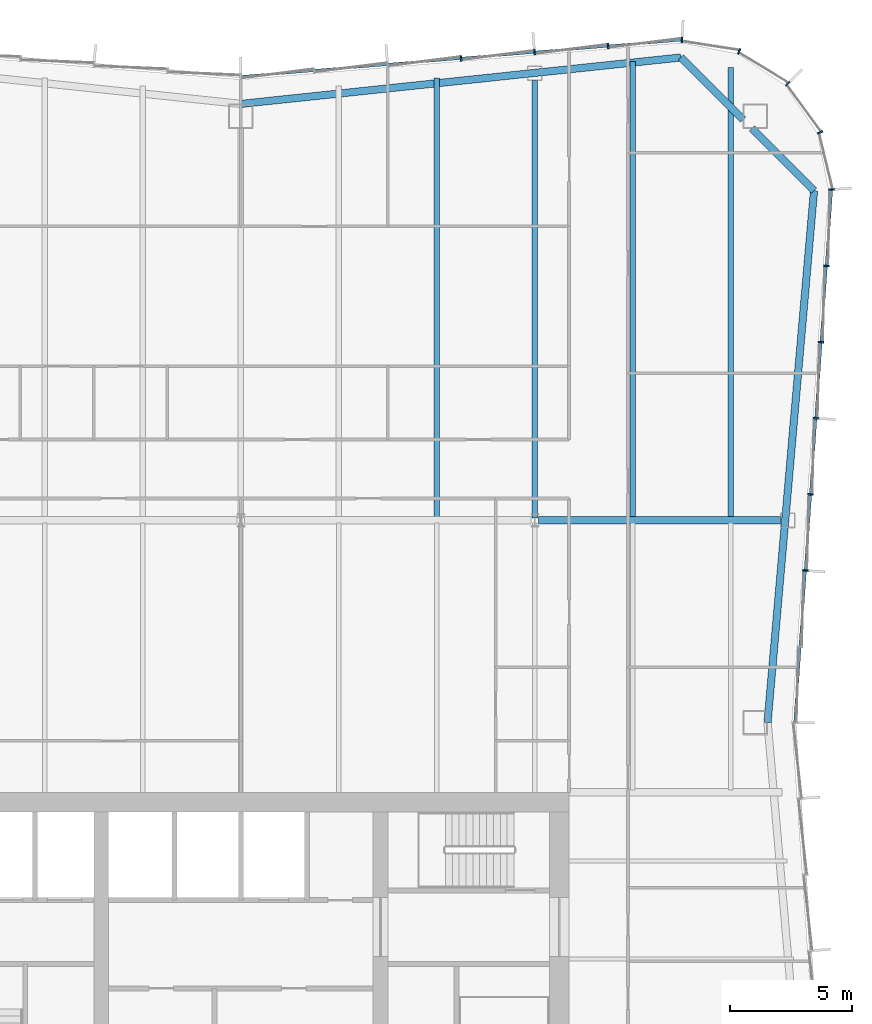
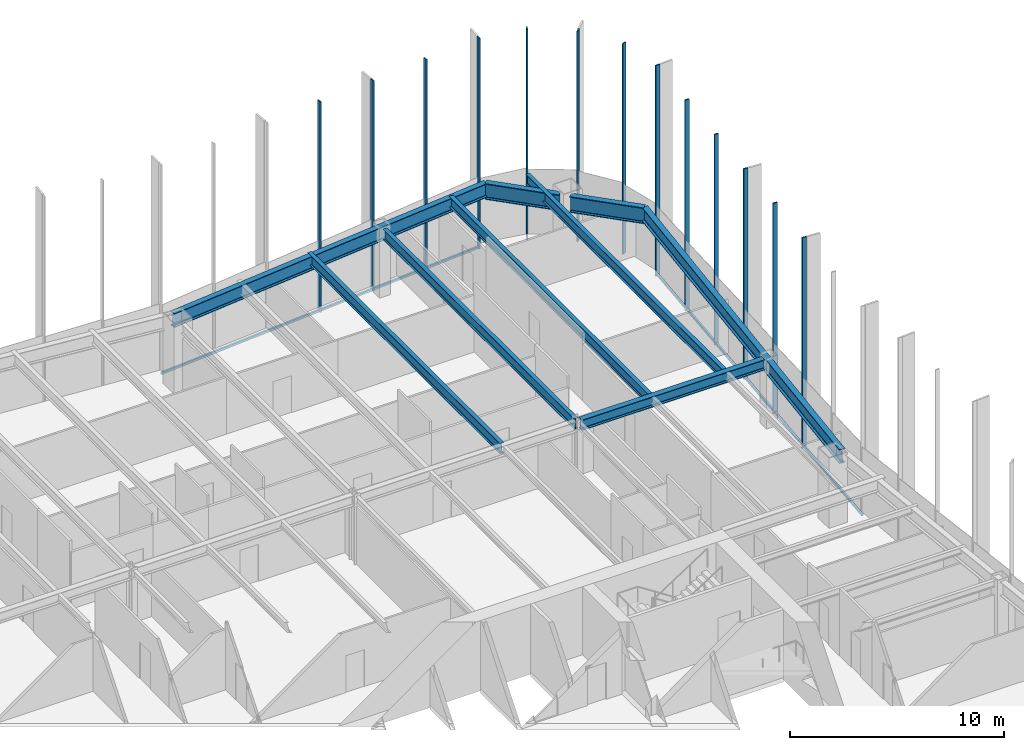
# One storey, part 8 of 15: 15 members, 9 beams, 3 elements without a shape of their own.
"""IFC4 building model written with IfcOpenShell, lengths in metres."""

from ifc_helpers import new_model, si_unit, direction, frame, origin, origin_2d, place, context, subcontext, project, spatial, rectangle, i_section, extrude, material, material_profile, profile_set, type_object, element, aggregate, save


model = new_model("IFC4")

# Units and contexts
model_context = context("Model", 3, precision=1e-05, world=origin(), true_north=direction((0.0, 1.0)))
body_context = subcontext(model_context, "Body", "Model", "MODEL_VIEW")
ifc_project = project(units=[si_unit("LENGTHUNIT", "METRE"), si_unit("AREAUNIT", "SQUARE_METRE"), si_unit("VOLUMEUNIT", "CUBIC_METRE"), si_unit("PLANEANGLEUNIT", "RADIAN"), si_unit("MASSUNIT", "GRAM", prefix="KILO")], contexts=[model_context])

# Site, building, storey
site_placement = place(None, origin())
site = spatial("IfcSite", under=ifc_project, at=site_placement, CompositionType="ELEMENT")
building_placement = place(site_placement, origin())
building = spatial("IfcBuilding", under=site, at=building_placement, Name="Verdant Reach Tower", CompositionType="ELEMENT")
storey_placement = place(building_placement, frame((0.0, 0.0, 238.0)))
storey = spatial("IfcBuildingStorey", under=building, at=storey_placement, Name="L54", CompositionType="ELEMENT", Elevation=238.0)

# Curtain wall, members
ifc_material_1 = material(Name="Anodised aluminium", Category="aluminium")
curtain_wall_type = type_object("IfcCurtainWallType", Name="EN-CW SYSTEM Z4", PredefinedType="NOTDEFINED", material=ifc_material_1)
curtain_wall_1_placement = place(storey_placement, origin())
curtain_wall_1 = element("IfcCurtainWall", 1, at=curtain_wall_1_placement, inside=storey, type_object=curtain_wall_type, Name="Curtain wall east, L54", PredefinedType="NOTDEFINED")
ifc_material_profile_1 = material_profile(ifc_material_1, rectangle(XDim=0.22412109375, YDim=0.068115234375, at=origin_2d()), Name="Mullion 68x224")
ifc_profile_set_1 = profile_set([ifc_material_profile_1], Name="Anodised aluminium")
member_type_1 = type_object("IfcMemberType", Name="EN-MULLION Z4", PredefinedType="MULLION", material=ifc_profile_set_1)
member_1_placement = place(storey_placement, frame((23.040283203125, 47.45654296875, -0.35009765625), z_axis=(0.0, 0.0, 1.0), x_axis=(0.997630328423, -0.068802091615, 0.0)))
member_1 = element("IfcMember", 2, at=member_1_placement, type_object=member_type_1, Name="Mullion east face part 2 3, L54", PredefinedType="MULLION", context=body_context, shape_type="SweptSolid", body=[
    extrude(rectangle(XDim=0.22412109375, YDim=0.068115234375, at=origin_2d()), origin(), (0.0, 0.0, 1.0), 12.0),
])
member_2_placement = place(storey_placement, frame((23.254638671875, 50.563720703125, -0.35009765625), z_axis=(0.0, 0.0, 1.0), x_axis=(0.997630328423, -0.068802091615, 0.0)))
member_2 = element("IfcMember", 3, at=member_2_placement, type_object=member_type_1, Name="Mullion east face part 2 4, L54", PredefinedType="MULLION", context=body_context, shape_type="SweptSolid", body=[
    extrude(rectangle(XDim=0.22412109375, YDim=0.068115234375, at=origin_2d()), origin(), (0.0, 0.0, 1.0), 12.0),
])
member_3_placement = place(storey_placement, frame((23.468994140625, 53.6708984375, -0.35009765625), z_axis=(0.0, 0.0, 1.0), x_axis=(0.997630328423, -0.068802091615, 0.0)))
member_3 = element("IfcMember", 4, at=member_3_placement, type_object=member_type_1, Name="Mullion east face part 2 5, L54", PredefinedType="MULLION", context=body_context, shape_type="SweptSolid", body=[
    extrude(rectangle(XDim=0.22412109375, YDim=0.068115234375, at=origin_2d()), origin(), (0.0, 0.0, 1.0), 12.0),
])
member_4_placement = place(storey_placement, frame((23.68310546875, 56.778076171875, -0.35009765625), z_axis=(0.0, 0.0, 1.0), x_axis=(0.997630328423, -0.068802091615, 0.0)))
member_4 = element("IfcMember", 5, at=member_4_placement, type_object=member_type_1, Name="Mullion east face part 2 6, L54", PredefinedType="MULLION", context=body_context, shape_type="SweptSolid", body=[
    extrude(rectangle(XDim=0.22412109375, YDim=0.068115234375, at=origin_2d()), origin(), (0.0, 0.0, 1.0), 12.0),
])
member_5_placement = place(storey_placement, frame((23.8974609375, 59.88525390625, -0.35009765625), z_axis=(0.0, 0.0, 1.0), x_axis=(0.997630328423, -0.068802091615, 0.0)))
member_5 = element("IfcMember", 6, at=member_5_placement, type_object=member_type_1, Name="Mullion east face part 2 7, L54", PredefinedType="MULLION", context=body_context, shape_type="SweptSolid", body=[
    extrude(rectangle(XDim=0.22412109375, YDim=0.068115234375, at=origin_2d()), origin(), (0.0, 0.0, 1.0), 12.0),
])

curtain_wall_2_placement = place(storey_placement, origin())
curtain_wall_2 = element("IfcCurtainWall", 7, at=curtain_wall_2_placement, inside=storey, type_object=curtain_wall_type, Name="Curtain wall north-east corner, L54", PredefinedType="NOTDEFINED")
member_6_placement = place(storey_placement, frame((24.11181640625, 63.007080078125, -0.35009765625), z_axis=(0.0, 0.0, 1.0), x_axis=(0.997969180898, 0.063698618332, 0.0)))
member_6 = element("IfcMember", 8, at=member_6_placement, type_object=member_type_1, Name="Mullion north-east corner 1, L54", PredefinedType="MULLION", context=body_context, shape_type="SweptSolid", body=[
    extrude(rectangle(XDim=0.22412109375, YDim=0.068115234375, at=origin_2d()), origin(), (0.0, 0.0, 1.0), 12.0),
])
member_7_placement = place(storey_placement, frame((23.646728515625, 65.3388671875, -0.35009765625), z_axis=(0.0, 0.0, 1.0), x_axis=(0.923875215753, 0.382693853776, 0.0)))
member_7 = element("IfcMember", 9, at=member_7_placement, type_object=member_type_1, Name="Mullion north-east corner 2, L54", PredefinedType="MULLION", context=body_context, shape_type="SweptSolid", body=[
    extrude(rectangle(XDim=0.22412109375, YDim=0.068115234375, at=origin_2d()), origin(), (0.0, 0.0, 1.0), 12.0),
])
member_8_placement = place(storey_placement, frame((22.32177734375, 67.32177734375, -0.35009765625), z_axis=(0.0, 0.0, 1.0), x_axis=(0.707106781187, 0.707106781187, 0.0)))
member_8 = element("IfcMember", 10, at=member_8_placement, type_object=member_type_1, Name="Mullion north-east corner 3, L54", PredefinedType="MULLION", context=body_context, shape_type="SweptSolid", body=[
    extrude(rectangle(XDim=0.22412109375, YDim=0.068115234375, at=origin_2d()), origin(), (0.0, 0.0, 1.0), 12.0),
])
member_9_placement = place(storey_placement, frame((20.3388671875, 68.646728515625, -0.35009765625), z_axis=(0.0, 0.0, 1.0), x_axis=(0.382693853776, 0.923875215753, 0.0)))
member_9 = element("IfcMember", 11, at=member_9_placement, type_object=member_type_1, Name="Mullion north-east corner 4, L54", PredefinedType="MULLION", context=body_context, shape_type="SweptSolid", body=[
    extrude(rectangle(XDim=0.22412109375, YDim=0.068115234375, at=origin_2d()), origin(), (0.0, 0.0, 1.0), 12.0),
])
aggregate(curtain_wall_2, [member_6, member_7, member_8, member_9])

curtain_wall_3_placement = place(storey_placement, origin())
curtain_wall_3 = element("IfcCurtainWall", 12, at=curtain_wall_3_placement, inside=storey, type_object=curtain_wall_type, Name="Curtain wall north, L54", PredefinedType="NOTDEFINED")
member_10_placement = place(storey_placement, frame((18.00634765625, 69.11181640625, -0.35009765625), z_axis=(0.0, 0.0, 1.0), x_axis=(0.056569187765, 0.998398681387, 0.0)))
member_10 = element("IfcMember", 13, at=member_10_placement, type_object=member_type_1, Name="Mullion north face part 1 1, L54", PredefinedType="MULLION", context=body_context, shape_type="SweptSolid", body=[
    extrude(rectangle(XDim=0.22412109375, YDim=0.068115234375, at=origin_2d()), origin(), (0.0, 0.0, 1.0), 12.0),
])
member_11_placement = place(storey_placement, frame((14.99072265625, 68.861572265625, -0.35009765625), z_axis=(0.0, 0.0, 1.0), x_axis=(-0.083045479859, 0.996545758244, 0.0)))
member_11 = element("IfcMember", 14, at=member_11_placement, type_object=member_type_1, Name="Mullion north face part 1 2, L54", PredefinedType="MULLION", context=body_context, shape_type="SweptSolid", body=[
    extrude(rectangle(XDim=0.22412109375, YDim=0.068115234375, at=origin_2d()), origin(), (0.0, 0.0, 1.0), 12.0),
])
member_12_placement = place(storey_placement, frame((11.99072265625, 68.611572265625, -0.35009765625), z_axis=(0.0, 0.0, 1.0), x_axis=(-0.083045479859, 0.996545758244, 0.0)))
member_12 = element("IfcMember", 15, at=member_12_placement, type_object=member_type_1, Name="Mullion north face part 1 3, L54", PredefinedType="MULLION", context=body_context, shape_type="SweptSolid", body=[
    extrude(rectangle(XDim=0.22412109375, YDim=0.068115234375, at=origin_2d()), origin(), (0.0, 0.0, 1.0), 12.0),
])
member_13_placement = place(storey_placement, frame((8.99072265625, 68.361572265625, -0.35009765625), z_axis=(0.0, 0.0, 1.0), x_axis=(-0.083045479859, 0.996545758244, 0.0)))
member_13 = element("IfcMember", 16, at=member_13_placement, type_object=member_type_1, Name="Mullion north face part 1 4, L54", PredefinedType="MULLION", context=body_context, shape_type="SweptSolid", body=[
    extrude(rectangle(XDim=0.22412109375, YDim=0.068115234375, at=origin_2d()), origin(), (0.0, 0.0, 1.0), 12.0),
])

# Member
ifc_material_profile_2 = material_profile(ifc_material_1, rectangle(XDim=0.10009765625, YDim=0.1279296875, at=origin_2d()), Name="Transom 128x100")
ifc_profile_set_2 = profile_set([ifc_material_profile_2], Name="Anodised aluminium")
member_type_2 = type_object("IfcMemberType", Name="EN-TRANSOM Z4", PredefinedType="USERDEFINED", material=ifc_profile_set_2)
member_14_placement = place(storey_placement, frame((22.6142578125, 41.283935546875, -0.285888671875), z_axis=(0.068770489035, 0.997632507408, 0.0), x_axis=(-0.997632507408, 0.068770489035, 0.0)))
member_14 = element("IfcMember", 17, at=member_14_placement, type_object=member_type_2, Name="Transom east face part 2 1.1, L54", ObjectType="TRANSOM", PredefinedType="USERDEFINED", context=body_context, shape_type="SweptSolid", body=[
    extrude(rectangle(XDim=0.10009765625, YDim=0.1279296875, at=origin_2d()), origin(), (0.0, 0.0, 1.0), 21.74072265625),
])

aggregate(curtain_wall_1, [member_1, member_2, member_3, member_4, member_5, member_14])

member_15_placement = place(storey_placement, frame((17.972412109375, 69.10888671875, -0.285888671875), z_axis=(-0.996549124771, -0.083005071637, 0.0), x_axis=(0.083005071637, -0.996549124771, 0.0)))
member_15 = element("IfcMember", 18, at=member_15_placement, type_object=member_type_2, Name="Transom north face part 1 1.1, L54", ObjectType="TRANSOM", PredefinedType="USERDEFINED", context=body_context, shape_type="SweptSolid", body=[
    extrude(rectangle(XDim=0.10009765625, YDim=0.1279296875, at=origin_2d()), origin(), (0.0, 0.0, 1.0), 18.00048828125),
])

aggregate(curtain_wall_3, [member_10, member_11, member_12, member_13, member_15])

# Beams
ifc_material_2 = material(Name="Steel S355", Category="steel")
ifc_material_profile_3 = material_profile(ifc_material_2, i_section(OverallWidth=0.300048828125, OverallDepth=0.60009765625, WebThickness=0.015380859375, FlangeThickness=0.030029296875, FilletRadius=0.027099609375, at=origin_2d()), Name="HEB 600")
ifc_profile_set_3 = profile_set([ifc_material_profile_3], Name="Steel S355")
beam_type_1 = type_object("IfcBeamType", Name="ST-BEAM-HEB600", PredefinedType="BEAM", material=ifc_profile_set_3)
beam_1_placement = place(storey_placement, frame((12.153076171875, 49.5, 3.570068359375), z_axis=(1.0, 0.0, 0.0), x_axis=(0.0, 1.0, 0.0)))
element("IfcBeam", 19, at=beam_1_placement, inside=storey, type_object=beam_type_1, Name="Row girder, L54", PredefinedType="BEAM", context=body_context, shape_type="SweptSolid", body=[
    extrude(i_section(OverallWidth=0.300048828125, OverallDepth=0.60009765625, WebThickness=0.015380859375, FlangeThickness=0.030029296875, FilletRadius=0.027099609375, at=origin_2d()), origin(), (0.0, 0.0, 1.0), 9.865966796875),
])
ifc_material_profile_4 = material_profile(ifc_material_2, i_section(OverallWidth=0.219970703125, OverallDepth=0.60009765625, WebThickness=0.011962890625, FlangeThickness=0.01904296875, FilletRadius=0.02392578125, at=origin_2d()), Name="IPE 600")
ifc_profile_set_4 = profile_set([ifc_material_profile_4], Name="Steel S355")
beam_type_2 = type_object("IfcBeamType", Name="ST-JOIST-IPE600", PredefinedType="JOIST", material=ifc_profile_set_4)
beam_2_placement = place(storey_placement, frame((8.0, 49.60009765625, 3.570068359375), z_axis=(0.0, 1.0, 0.0), x_axis=(-1.0, 0.0, 0.0)))
element("IfcBeam", 20, at=beam_2_placement, inside=storey, type_object=beam_type_2, Name="Floor joist, L54", PredefinedType="JOIST", context=body_context, shape_type="SweptSolid", body=[
    extrude(i_section(OverallWidth=0.219970703125, OverallDepth=0.60009765625, WebThickness=0.011962890625, FlangeThickness=0.01904296875, FilletRadius=0.02392578125, at=origin_2d()), origin(), (0.0, 0.0, 1.0), 17.964599609375),
])
beam_3_placement = place(storey_placement, frame((12.0, 49.60009765625, 3.570068359375), z_axis=(0.0, 1.0, 0.0), x_axis=(-1.0, 0.0, 0.0)))
element("IfcBeam", 21, at=beam_3_placement, inside=storey, type_object=beam_type_2, Name="Floor joist, L54", PredefinedType="JOIST", context=body_context, shape_type="SweptSolid", body=[
    extrude(i_section(OverallWidth=0.219970703125, OverallDepth=0.60009765625, WebThickness=0.011962890625, FlangeThickness=0.01904296875, FilletRadius=0.02392578125, at=origin_2d()), origin(), (0.0, 0.0, 1.0), 17.849853515625),
])
beam_4_placement = place(storey_placement, frame((16.0, 49.60009765625, 3.570068359375), z_axis=(0.0, 1.0, 0.0), x_axis=(-1.0, 0.0, 0.0)))
element("IfcBeam", 22, at=beam_4_placement, inside=storey, type_object=beam_type_2, Name="Floor joist, L54", PredefinedType="JOIST", context=body_context, shape_type="SweptSolid", body=[
    extrude(i_section(OverallWidth=0.219970703125, OverallDepth=0.60009765625, WebThickness=0.011962890625, FlangeThickness=0.01904296875, FilletRadius=0.02392578125, at=origin_2d()), origin(), (0.0, 0.0, 1.0), 18.631103515625),
])
beam_5_placement = place(storey_placement, frame((20.0, 49.60009765625, 3.570068359375), z_axis=(0.0, 1.0, 0.0), x_axis=(-1.0, 0.0, 0.0)))
element("IfcBeam", 23, at=beam_5_placement, inside=storey, type_object=beam_type_2, Name="Floor joist, L54", PredefinedType="JOIST", context=body_context, shape_type="SweptSolid", body=[
    extrude(i_section(OverallWidth=0.219970703125, OverallDepth=0.60009765625, WebThickness=0.011962890625, FlangeThickness=0.01904296875, FilletRadius=0.02392578125, at=origin_2d()), origin(), (0.0, 0.0, 1.0), 18.390380859375),
])
ifc_material_profile_5 = material_profile(ifc_material_2, i_section(OverallWidth=0.300048828125, OverallDepth=0.800048828125, WebThickness=0.017578125, FlangeThickness=0.032958984375, FilletRadius=0.030029296875, at=origin_2d()), Name="HEB 800")
ifc_profile_set_5 = profile_set([ifc_material_profile_5], Name="Steel S355")
beam_type_3 = type_object("IfcBeamType", Name="ST-SPANDREL-HEB800", PredefinedType="SPANDREL", material=ifc_profile_set_5)
beam_6_placement = place(storey_placement, frame((0.0, 66.5, 3.469970703125), z_axis=(0.994483067002, 0.104897232783, 0.0), x_axis=(-0.104897232783, 0.994483067002, 0.0)))
element("IfcBeam", 24, at=beam_6_placement, inside=storey, type_object=beam_type_3, Name="Edge beam, L54", PredefinedType="SPANDREL", context=body_context, shape_type="SweptSolid", body=[
    extrude(i_section(OverallWidth=0.300048828125, OverallDepth=0.800048828125, WebThickness=0.017578125, FlangeThickness=0.032958984375, FilletRadius=0.030029296875, at=origin_2d()), origin(), (0.0, 0.0, 1.0), 18.0654296875),
])
beam_7_placement = place(storey_placement, frame((23.39599609375, 62.96142578125, 3.469970703125), z_axis=(-0.086996024331, -0.996208658741, 0.0), x_axis=(0.996208658741, -0.086996024331, 0.0)))
element("IfcBeam", 25, at=beam_7_placement, inside=storey, type_object=beam_type_3, Name="Edge beam, L54", PredefinedType="SPANDREL", context=body_context, shape_type="SweptSolid", body=[
    extrude(i_section(OverallWidth=0.300048828125, OverallDepth=0.800048828125, WebThickness=0.017578125, FlangeThickness=0.032958984375, FilletRadius=0.030029296875, at=origin_2d()), origin(), (0.0, 0.0, 1.0), 21.7939453125),
])
ifc_material_profile_6 = material_profile(ifc_material_2, i_section(OverallWidth=0.302001953125, OverallDepth=0.909912109375, WebThickness=0.02099609375, FlangeThickness=0.0400390625, FilletRadius=0.030029296875, at=origin_2d()), Name="HEM 900")
ifc_profile_set_6 = profile_set([ifc_material_profile_6], Name="Steel S355")
beam_type_4 = type_object("IfcBeamType", Name="ST-SPANDREL-HEM900", PredefinedType="SPANDREL", material=ifc_profile_set_6)
beam_8_placement = place(storey_placement, frame((17.9658203125, 68.39501953125, 3.4150390625), z_axis=(0.706868394255, -0.707345087777, 0.0), x_axis=(0.707345087777, 0.706868394255, 0.0)))
element("IfcBeam", 26, at=beam_8_placement, inside=storey, type_object=beam_type_4, Name="Edge beam, L54", PredefinedType="SPANDREL", context=body_context, shape_type="SweptSolid", body=[
    extrude(i_section(OverallWidth=0.302001953125, OverallDepth=0.909912109375, WebThickness=0.02099609375, FlangeThickness=0.0400390625, FilletRadius=0.030029296875, at=origin_2d()), origin(), (0.0, 0.0, 1.0), 3.5849609375),
])
beam_9_placement = place(storey_placement, frame((20.85888671875, 65.5, 3.4150390625), z_axis=(0.706902680526, -0.707310822952, 0.0), x_axis=(0.707310822952, 0.706902680526, 0.0)))
element("IfcBeam", 27, at=beam_9_placement, inside=storey, type_object=beam_type_4, Name="Edge beam, L54", PredefinedType="SPANDREL", context=body_context, shape_type="SweptSolid", body=[
    extrude(i_section(OverallWidth=0.302001953125, OverallDepth=0.909912109375, WebThickness=0.02099609375, FlangeThickness=0.0400390625, FilletRadius=0.030029296875, at=origin_2d()), origin(), (0.0, 0.0, 1.0), 3.589111328125),
])

save(model, "model.ifc")
